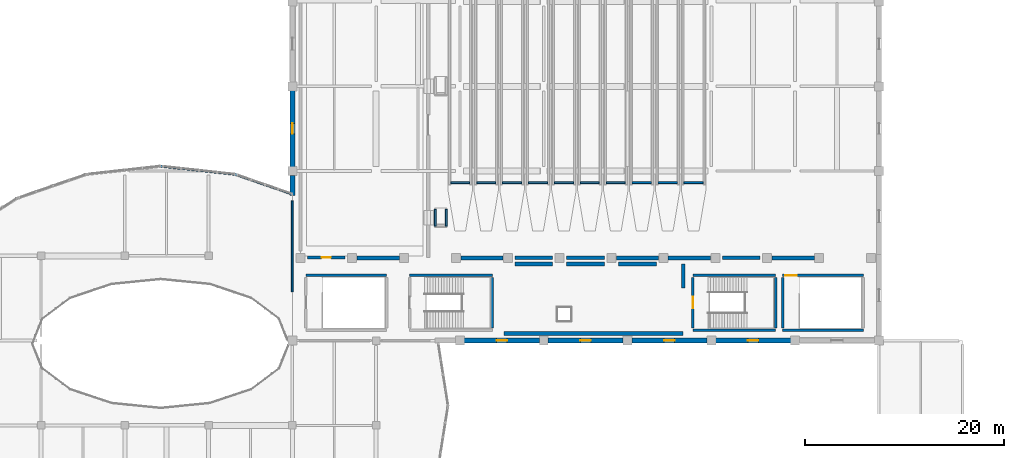
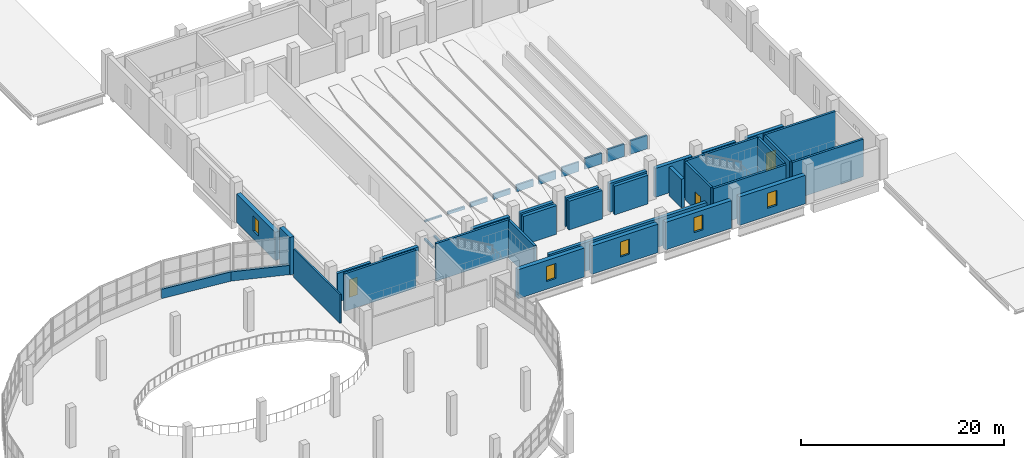
# One storey, part 97 of 117: 45 walls, 5 windows, 3 doors, 8 openings.
"""IFC4 building model written with IfcOpenShell, lengths in metres."""

from ifc_helpers import new_model, si_unit, direction, frame, frame_2d, origin, place, context, subcontext, project, spatial, rectangle, extrude, material, layer, layer_set, type_object, element, fill, save


model = new_model("IFC4")

# Units and contexts
model_context = context("Model", 3, precision=1e-05, world=origin(), true_north=direction((0.0, 1.0)))
body_context = subcontext(model_context, "Body", "Model", "MODEL_VIEW")
ifc_project = project(units=[si_unit("LENGTHUNIT", "METRE"), si_unit("AREAUNIT", "SQUARE_METRE"), si_unit("VOLUMEUNIT", "CUBIC_METRE"), si_unit("PLANEANGLEUNIT", "RADIAN"), si_unit("MASSUNIT", "GRAM", prefix="KILO")], contexts=[model_context])

# Site, building, storey
site_placement = place(None, origin())
site = spatial("IfcSite", under=ifc_project, at=site_placement, CompositionType="ELEMENT")
building_placement = place(site_placement, origin())
building = spatial("IfcBuilding", under=site, at=building_placement, Name="Solvento Point Concert Hall", CompositionType="ELEMENT")
storey_placement = place(building_placement, frame((0.0, 0.0, 5.39990234375)))
storey = spatial("IfcBuildingStorey", under=building, at=storey_placement, Name="L01", CompositionType="ELEMENT", Elevation=5.39990234375)

# Wall
ifc_material_1 = material(Name="Acoustic Double-Stud Gypsum Partition")
ifc_layer_1 = layer(ifc_material_1, 0.179931640625)
ifc_layer_set_1 = layer_set([ifc_layer_1], Name="Acoustic Double-Stud Gypsum Partition")
wall_type_1 = type_object("IfcWallType", Name="AcousticPartition_180", PredefinedType="PARTITIONING", material=ifc_layer_set_1)
wall_1_placement = place(storey_placement, frame((74.3798828125, 56.499267578125, 0.0), z_axis=(0.0, 0.0, 1.0), x_axis=(0.0, -1.0, 0.0)))
element("IfcWall", 1, at=wall_1_placement, inside=storey, type_object=wall_type_1, Name="Interior acoustic partition PW-63 L01", PredefinedType="PARTITIONING", context=body_context, shape_type="SweptSolid", body=[
    extrude(rectangle(XDim=9.1123046875, YDim=0.179931640625, at=frame_2d((4.55615234375, 0.0))), origin(), (0.0, 0.0, 1.0), 3.4501953125),
])

# Wall, opening, door
ifc_material_2 = material(Name="Acoustic Double-Stud Gypsum Partition")
ifc_layer_2 = layer(ifc_material_2, 0.31494140625)
ifc_layer_set_2 = layer_set([ifc_layer_2], Name="Acoustic Double-Stud Gypsum Partition")
wall_type_2 = type_object("IfcWallType", Name="AcousticPartition_315", PredefinedType="PARTITIONING", material=ifc_layer_set_2)
wall_2_placement = place(storey_placement, frame((79.699951171875, 50.820068359375, 0.0), z_axis=(0.0, 0.0, 1.0), x_axis=(-1.0, 0.0, 0.0)))
wall_2 = element("IfcWall", 2, at=wall_2_placement, inside=storey, type_object=wall_type_2, Name="Interior acoustic partition PW-18 L01", PredefinedType="PARTITIONING", context=body_context, shape_type="SweptSolid", body=[
    extrude(rectangle(XDim=3.800048828125, YDim=0.31494140625, at=frame_2d((1.89990234375, 0.0))), origin(), (0.0, 0.0, 1.0), 3.4501953125),
])
opening_1_placement = place(wall_2_placement, frame((1.43994140625, 0.0, 0.0)))
opening_1 = element("IfcOpeningElement", 3, at=opening_1_placement, cuts=wall_2, Name="Opening DR-46", PredefinedType="OPENING", context=body_context, shape_type="SweptSolid", body=[
    extrude(rectangle(XDim=0.919921875, YDim=2.1201171875, at=frame_2d((0.4599609375, 1.06005859375))), frame((0.0, 0.16748046875, 0.0), z_axis=(0.0, -1.0, 0.0), x_axis=(1.0, 0.0, 0.0)), (0.0, 0.0, 1.0), 0.3349609375),
])
ifc_material_3 = material(Name="Brazilian Hardwood Acoustic Door", Category="wood")
door_type_1 = type_object("IfcDoorType", Name="IntDoor_AccessibleWC", OperationType="NOTDEFINED", PredefinedType="DOOR", material=ifc_material_3)
door_1_placement = place(opening_1_placement, origin())
door_1 = element("IfcDoor", 4, at=door_1_placement, inside=storey, type_object=door_type_1, Name="Interior door DR-46 L01", OperationType="SINGLE_SWING_LEFT", OverallHeight=2.1201171875, OverallWidth=0.919921875, PredefinedType="DOOR", context=body_context, shape_type="SweptSolid", body=[
    extrude(rectangle(XDim=0.919921875, YDim=2.1201171875, at=frame_2d((0.4599609375, 1.06005859375))), frame((0.0, 0.02490234375, 0.0), z_axis=(0.0, -1.0, 0.0), x_axis=(1.0, 0.0, 0.0)), (0.0, 0.0, 1.0), 0.050048828125),
])
fill(opening_1, door_1)

# Walls
ifc_material_4 = material(Name="Acoustic Double-Stud Gypsum Partition")
ifc_layer_3 = layer(ifc_material_4, 0.364990234375)
ifc_layer_set_3 = layer_set([ifc_layer_3], Name="Acoustic Double-Stud Gypsum Partition")
wall_type_3 = type_object("IfcWallType", Name="AcousticPartition_365", PredefinedType="PARTITIONING", material=ifc_layer_set_3)
for number, where, z_axis, x_axis, name in (
    (5, (121.300048828125, 50.820068359375, 0.0), (0.0, 0.0, 1.0), (-1.0, 0.0, 0.0), "Interior acoustic partition PW-43 L01"),
    (6, (105.699951171875, 50.820068359375, 0.0), (0.0, 0.0, 1.0), (-1.0, 0.0, 0.0), "Interior acoustic partition PW-43 L01"),
    (7, (100.5, 50.820068359375, 0.0), (0.0, 0.0, 1.0), (-1.0, 0.0, 0.0), "Interior acoustic partition PW-43 L01"),
    (8, (96.699951171875, 50.179931640625, 0.0), (0.0, 0.0, 1.0), (1.0, 0.0, 0.0), "Interior acoustic partition PW-43 L01"),
    (9, (101.89990234375, 50.179931640625, 0.0), (0.0, 0.0, 1.0), (1.0, 0.0, 0.0), "Interior acoustic partition PW-43 L01"),
):
    element("IfcWall", number, at=place(storey_placement, frame(where, z_axis=z_axis, x_axis=x_axis)), inside=storey, type_object=wall_type_3, Name=name, PredefinedType="PARTITIONING", context=body_context, shape_type="SweptSolid", body=[
        extrude(rectangle(XDim=3.800048828125, YDim=0.364990234375, at=frame_2d((1.89990234375, 0.0))), origin(), (0.0, 0.0, 1.0), 3.4501953125),
    ])
wall_3_placement = place(storey_placement, frame((107.10009765625, 50.179931640625, 0.0), z_axis=(0.0, 0.0, 1.0), x_axis=(1.0, 0.0, 0.0)))
element("IfcWall", 10, at=wall_3_placement, inside=storey, type_object=wall_type_3, Name="Interior acoustic partition PW-43 L01", PredefinedType="PARTITIONING", context=body_context, shape_type="SweptSolid", body=[
    extrude(rectangle(XDim=3.7998046875, YDim=0.364990234375, at=frame_2d((1.89990234375, 0.0))), origin(), (0.0, 0.0, 1.0), 3.4501953125),
])
wall_4_placement = place(storey_placement, frame((113.580078125, 43.219970703125, 0.0), z_axis=(0.0, 0.0, 1.0), x_axis=(-1.0, 0.0, 0.0)))
element("IfcWall", 11, at=wall_4_placement, inside=storey, type_object=wall_type_3, Name="Interior acoustic partition PW-43 L01", PredefinedType="PARTITIONING", context=body_context, shape_type="SweptSolid", body=[
    extrude(rectangle(XDim=17.9599609375, YDim=0.364990234375, at=frame_2d((8.97998046875, 0.0))), origin(), (0.0, 0.0, 1.0), 3.4501953125),
])
wall_5_placement = place(storey_placement, frame((113.580078125, 50.179931640625, 0.0), z_axis=(0.0, 0.0, 1.0), x_axis=(0.0, -1.0, 0.0)))
element("IfcWall", 12, at=wall_5_placement, inside=storey, type_object=wall_type_3, Name="Interior acoustic partition PW-43 L01", PredefinedType="PARTITIONING", context=body_context, shape_type="SweptSolid", body=[
    extrude(rectangle(XDim=2.423583984375, YDim=0.364990234375, at=frame_2d((1.2119140625, 0.0))), origin(), (0.0, 0.0, 1.0), 3.4501953125),
])
ifc_material_5 = material(Name="Concrete C40/50", Category="concrete")
ifc_layer_4 = layer(ifc_material_5, 0.300048828125)
ifc_layer_set_4 = layer_set([ifc_layer_4], Name="Concrete C40/50")
wall_type_4 = type_object("IfcWallType", Name="CoreShearWall_300", PredefinedType="SHEAR", material=ifc_layer_set_4)
wall_6_placement = place(storey_placement, frame((86.14990234375, 49.050048828125, 0.0), z_axis=(0.0, 0.0, 1.0), x_axis=(1.0, 0.0, 0.0)))
element("IfcWall", 13, at=wall_6_placement, inside=storey, type_object=wall_type_4, Name="Stair core shear wall W-SH1 ST-06 L01", PredefinedType="SHEAR", context=body_context, shape_type="SweptSolid", body=[
    extrude(rectangle(XDim=8.300048828125, YDim=0.25, at=frame_2d((4.14990234375, 0.0))), origin(), (0.0, 0.0, 1.0), 4.530029296875),
])
wall_7_placement = place(storey_placement, frame((94.449951171875, 48.85009765625, 0.0), z_axis=(0.0, 0.0, 1.0), x_axis=(0.0, -1.0, 0.0)))
element("IfcWall", 14, at=wall_7_placement, inside=storey, type_object=wall_type_4, Name="Stair core shear wall W-SH1 ST-06 L01", PredefinedType="SHEAR", context=body_context, shape_type="SweptSolid", body=[
    extrude(rectangle(XDim=5.10009765625, YDim=0.25, at=frame_2d((2.550048828125, 0.0))), origin(), (0.0, 0.0, 1.0), 4.530029296875),
])
for number, where, z_axis, x_axis, name in (
    (15, (122.85009765625, 43.550048828125, 0.0), (0.0, 0.0, 1.0), (-1.0, 0.0, 0.0), "Stair core shear wall W-SH1 ST-07 L01"),
    (16, (114.550048828125, 49.050048828125, 0.0), (0.0, 0.0, 1.0), (1.0, 0.0, 0.0), "Stair core shear wall W-SH1 ST-07 L01"),
):
    element("IfcWall", number, at=place(storey_placement, frame(where, z_axis=z_axis, x_axis=x_axis)), inside=storey, type_object=wall_type_4, Name=name, PredefinedType="SHEAR", context=body_context, shape_type="SweptSolid", body=[
        extrude(rectangle(XDim=8.300048828125, YDim=0.25, at=frame_2d((4.14990234375, 0.0))), origin(), (0.0, 0.0, 1.0), 4.530029296875),
    ])

# Wall, opening, door
wall_8_placement = place(storey_placement, frame((114.550048828125, 43.75, 0.0), z_axis=(0.0, 0.0, 1.0), x_axis=(0.0, 1.0, 0.0)))
wall_8 = element("IfcWall", 17, at=wall_8_placement, inside=storey, type_object=wall_type_4, Name="Stair core shear wall W-SH1 ST-07 L01", PredefinedType="SHEAR", context=body_context, shape_type="SweptSolid", body=[
    extrude(rectangle(XDim=5.10009765625, YDim=0.25, at=frame_2d((2.550048828125, 0.0))), origin(), (0.0, 0.0, 1.0), 4.530029296875),
])
opening_2_placement = place(wall_8_placement, frame((1.97509765625, 0.0, 0.0)))
opening_2 = element("IfcOpeningElement", 18, at=opening_2_placement, cuts=wall_8, Name="Opening D-ST1", PredefinedType="OPENING", context=body_context, shape_type="SweptSolid", body=[
    extrude(rectangle(XDim=1.14990234375, YDim=2.179931640625, at=frame_2d((0.574951171875, 1.08984375))), frame((0.0, 0.135009765625, 0.0), z_axis=(0.0, -1.0, 0.0), x_axis=(1.0, 0.0, 0.0)), (0.0, 0.0, 1.0), 0.27001953125),
])
ifc_material_6 = material(Name="Hollow Metal Acoustic Fire Door")
door_type_2 = type_object("IfcDoorType", Name="StairFireDoor_1150", OperationType="NOTDEFINED", PredefinedType="DOOR", material=ifc_material_6)
door_2_placement = place(opening_2_placement, origin())
door_2 = element("IfcDoor", 19, at=door_2_placement, inside=storey, type_object=door_type_2, Name="Protected exit stair door ST-07 L01", OperationType="SINGLE_SWING_RIGHT", OverallHeight=2.179931640625, OverallWidth=1.14990234375, PredefinedType="DOOR", context=body_context, shape_type="SweptSolid", body=[
    extrude(rectangle(XDim=1.14990234375, YDim=2.179931640625, at=frame_2d((0.574951171875, 1.08984375))), frame((0.0, 0.02490234375, 0.0), z_axis=(0.0, -1.0, 0.0), x_axis=(1.0, 0.0, 0.0)), (0.0, 0.0, 1.0), 0.050048828125),
])
fill(opening_2, door_2)

# Walls
wall_9_placement = place(storey_placement, frame((122.85009765625, 48.85009765625, 0.0), z_axis=(0.0, 0.0, 1.0), x_axis=(0.0, -1.0, 0.0)))
element("IfcWall", 20, at=wall_9_placement, inside=storey, type_object=wall_type_4, Name="Stair core shear wall W-SH1 ST-07 L01", PredefinedType="SHEAR", context=body_context, shape_type="SweptSolid", body=[
    extrude(rectangle(XDim=5.10009765625, YDim=0.25, at=frame_2d((2.550048828125, 0.0))), origin(), (0.0, 0.0, 1.0), 4.530029296875),
])
wall_10_placement = place(storey_placement, frame((75.75, 49.050048828125, 0.0), z_axis=(0.0, 0.0, 1.0), x_axis=(1.0, 0.0, 0.0)))
element("IfcWall", 21, at=wall_10_placement, inside=storey, type_object=wall_type_4, Name="Stair core shear wall W-SH1 VOM-01 L01", PredefinedType="SHEAR", context=body_context, shape_type="SweptSolid", body=[
    extrude(rectangle(XDim=8.10009765625, YDim=0.25, at=frame_2d((4.050048828125, 0.0))), origin(), (0.0, 0.0, 1.0), 4.530029296875),
])
wall_11_placement = place(storey_placement, frame((131.64990234375, 43.550048828125, 0.0), z_axis=(0.0, 0.0, 1.0), x_axis=(-1.0, 0.0, 0.0)))
element("IfcWall", 22, at=wall_11_placement, inside=storey, type_object=wall_type_4, Name="Stair core shear wall W-SH1 VOM-02 L01", PredefinedType="SHEAR", context=body_context, shape_type="SweptSolid", body=[
    extrude(rectangle(XDim=8.099853515625, YDim=0.25, at=frame_2d((4.0498046875, 0.0))), origin(), (0.0, 0.0, 1.0), 4.530029296875),
])

# Wall, opening, door
wall_12_placement = place(storey_placement, frame((123.550048828125, 49.050048828125, 0.0), z_axis=(0.0, 0.0, 1.0), x_axis=(1.0, 0.0, 0.0)))
wall_12 = element("IfcWall", 23, at=wall_12_placement, inside=storey, type_object=wall_type_4, Name="Stair core shear wall W-SH1 VOM-02 L01", PredefinedType="SHEAR", context=body_context, shape_type="SweptSolid", body=[
    extrude(rectangle(XDim=8.099853515625, YDim=0.25, at=frame_2d((4.0498046875, 0.0))), origin(), (0.0, 0.0, 1.0), 4.530029296875),
])
opening_3_placement = place(wall_12_placement, frame((0.25, 0.0, 0.0)))
opening_3 = element("IfcOpeningElement", 24, at=opening_3_placement, cuts=wall_12, Name="Opening D-ST1", PredefinedType="OPENING", context=body_context, shape_type="SweptSolid", body=[
    extrude(rectangle(XDim=1.14990234375, YDim=2.179931640625, at=frame_2d((0.574951171875, 1.08984375))), frame((0.0, 0.135009765625, 0.0), z_axis=(0.0, -1.0, 0.0), x_axis=(1.0, 0.0, 0.0)), (0.0, 0.0, 1.0), 0.27001953125),
])
door_3_placement = place(opening_3_placement, origin())
door_3 = element("IfcDoor", 25, at=door_3_placement, inside=storey, type_object=door_type_2, Name="Protected exit stair door VOM-02 L01", OperationType="SINGLE_SWING_LEFT", OverallHeight=2.179931640625, OverallWidth=1.14990234375, PredefinedType="DOOR", context=body_context, shape_type="SweptSolid", body=[
    extrude(rectangle(XDim=1.14990234375, YDim=2.179931640625, at=frame_2d((0.574951171875, 1.08984375))), frame((0.0, 0.02490234375, 0.0), z_axis=(0.0, -1.0, 0.0), x_axis=(1.0, 0.0, 0.0)), (0.0, 0.0, 1.0), 0.050048828125),
])
fill(opening_3, door_3)

# Walls
wall_13_placement = place(storey_placement, frame((123.550048828125, 43.75, 0.0), z_axis=(0.0, 0.0, 1.0), x_axis=(0.0, 1.0, 0.0)))
element("IfcWall", 26, at=wall_13_placement, inside=storey, type_object=wall_type_4, Name="Stair core shear wall W-SH1 VOM-02 L01", PredefinedType="SHEAR", context=body_context, shape_type="SweptSolid", body=[
    extrude(rectangle(XDim=5.10009765625, YDim=0.25, at=frame_2d((2.550048828125, 0.0))), origin(), (0.0, 0.0, 1.0), 4.530029296875),
])
for number, where, z_axis, x_axis, name in (
    (27, (88.739990234375, 53.945068359375, 0.0), (0.0, 0.0, 1.0), (0.0, 1.0, 0.0), "Aisle landing support wall W-SH1 ST-ASL-01"),
    (28, (89.81005859375, 53.945068359375, 0.0), (0.0, 0.0, 1.0), (0.0, 1.0, 0.0), "Aisle landing support wall W-SH1 ST-ASL-01"),
):
    element("IfcWall", number, at=place(storey_placement, frame(where, z_axis=z_axis, x_axis=x_axis)), inside=storey, type_object=wall_type_4, Name=name, PredefinedType="SHEAR", context=body_context, shape_type="SweptSolid", body=[
        extrude(rectangle(XDim=1.7099609375, YDim=0.199951171875, at=frame_2d((0.85498046875, 0.0))), origin(), (0.0, 0.0, 1.0), 0.22509765625),
    ])
ifc_material_7 = material(Name="Concrete C40/50", Category="concrete")
ifc_layer_5 = layer(ifc_material_7, 0.39990234375)
ifc_layer_set_5 = layer_set([ifc_layer_5], Name="Concrete C40/50")
wall_type_5 = type_object("IfcWallType", Name="DrumShearWall_400", PredefinedType="SHEAR", material=ifc_layer_set_5)
wall_14_placement = place(storey_placement, frame((80.8798828125, 50.800048828125, 0.0), z_axis=(0.0, 0.0, 1.0), x_axis=(1.0, 0.0, 0.0)))
element("IfcWall", 29, at=wall_14_placement, inside=storey, type_object=wall_type_5, Name="Symphonic acoustic drum shear wall W-DR1 L01", PredefinedType="SHEAR", context=body_context, shape_type="SweptSolid", body=[
    extrude(rectangle(XDim=4.240234375, YDim=0.39990234375, at=frame_2d((2.1201171875, 0.0))), origin(), (0.0, 0.0, 1.0), 3.47998046875),
])
wall_15_placement = place(storey_placement, frame((91.280029296875, 50.800048828125, 0.0), z_axis=(0.0, 0.0, 1.0), x_axis=(1.0, 0.0, 0.0)))
element("IfcWall", 30, at=wall_15_placement, inside=storey, type_object=wall_type_5, Name="Symphonic acoustic drum shear wall W-DR1 L01", PredefinedType="SHEAR", context=body_context, shape_type="SweptSolid", body=[
    extrude(rectangle(XDim=4.239990234375, YDim=0.39990234375, at=frame_2d((2.1201171875, 0.0))), origin(), (0.0, 0.0, 1.0), 3.47998046875),
])
wall_16_placement = place(storey_placement, frame((106.8798828125, 50.800048828125, 0.0), z_axis=(0.0, 0.0, 1.0), x_axis=(1.0, 0.0, 0.0)))
element("IfcWall", 31, at=wall_16_placement, inside=storey, type_object=wall_type_5, Name="Symphonic acoustic drum shear wall W-DR1 L01", PredefinedType="SHEAR", context=body_context, shape_type="SweptSolid", body=[
    extrude(rectangle(XDim=4.240234375, YDim=0.39990234375, at=frame_2d((2.1201171875, 0.0))), origin(), (0.0, 0.0, 1.0), 3.47998046875),
])
for number, where, z_axis, x_axis, name in (
    (32, (112.080078125, 50.800048828125, 0.0), (0.0, 0.0, 1.0), (1.0, 0.0, 0.0), "Symphonic acoustic drum shear wall W-DR1 L01"),
    (33, (122.47998046875, 50.800048828125, 0.0), (0.0, 0.0, 1.0), (1.0, 0.0, 0.0), "Symphonic acoustic drum shear wall W-DR1 L01"),
):
    element("IfcWall", number, at=place(storey_placement, frame(where, z_axis=z_axis, x_axis=x_axis)), inside=storey, type_object=wall_type_5, Name=name, PredefinedType="SHEAR", context=body_context, shape_type="SweptSolid", body=[
        extrude(rectangle(XDim=4.239990234375, YDim=0.39990234375, at=frame_2d((2.1201171875, 0.0))), origin(), (0.0, 0.0, 1.0), 3.47998046875),
    ])
ifc_material_8 = material(Name="Concrete C40/50", Category="concrete")
ifc_layer_6 = layer(ifc_material_8, 0.47998046875)
ifc_layer_set_6 = layer_set([ifc_layer_6], Name="Concrete C40/50")
wall_type_6 = type_object("IfcWallType", Name="ExtWall_V1_Drum_480", PredefinedType="SOLIDWALL", material=ifc_layer_set_6)
wall_17_placement = place(storey_placement, frame((74.39990234375, 57.038818359375, 0.0), z_axis=(0.0, 0.0, 1.0), x_axis=(0.0, 1.0, 0.0)))
element("IfcWall", 34, at=wall_17_placement, inside=storey, type_object=wall_type_6, Name="Exterior architectural concrete wall EW-46 L01", PredefinedType="SOLIDWALL", context=body_context, shape_type="SweptSolid", body=[
    extrude(rectangle(XDim=2.03125, YDim=0.47998046875, at=frame_2d((1.015625, 0.0))), origin(), (0.0, 0.0, 1.0), 4.530029296875),
])

# Wall, opening, window
wall_18_placement = place(storey_placement, frame((74.39990234375, 59.929931640625, 0.0), z_axis=(0.0, 0.0, 1.0), x_axis=(0.0, 1.0, 0.0)))
wall_18 = element("IfcWall", 35, at=wall_18_placement, inside=storey, type_object=wall_type_6, Name="Exterior architectural concrete wall EW-46 L01", PredefinedType="SOLIDWALL", context=body_context, shape_type="SweptSolid", body=[
    extrude(rectangle(XDim=7.64013671875, YDim=0.47998046875, at=frame_2d((3.820068359375, 0.0))), origin(), (0.0, 0.0, 1.0), 3.424072265625),
])
opening_4_placement = place(wall_18_placement, frame((3.294921875, 0.0, 0.949951171875)))
opening_4 = element("IfcOpeningElement", 36, at=opening_4_placement, cuts=wall_18, Name="Opening WN-89", PredefinedType="OPENING", context=body_context, shape_type="SweptSolid", body=[
    extrude(rectangle(XDim=1.050048828125, YDim=1.800048828125, at=frame_2d((0.52490234375, 0.89990234375))), frame((0.0, 0.25, 0.0), z_axis=(0.0, -1.0, 0.0), x_axis=(1.0, 0.0, 0.0)), (0.0, 0.0, 1.0), 0.5),
])
ifc_material_9 = material(Name="Hurricane Laminated Low-E Glass", Category="glass")
window_type = type_object("IfcWindowType", Name="Win_NarrowPier_1050", PartitioningType="SINGLE_PANEL", PredefinedType="WINDOW", material=ifc_material_9)
window_1_placement = place(opening_4_placement, origin())
window_1 = element("IfcWindow", 37, at=window_1_placement, inside=storey, type_object=window_type, Name="Impact acoustic window WN-89", OverallHeight=1.800048828125, OverallWidth=1.050048828125, PartitioningType="SINGLE_PANEL", PredefinedType="WINDOW", context=body_context, shape_type="SweptSolid", body=[
    extrude(rectangle(XDim=1.050048828125, YDim=1.800048828125, at=frame_2d((0.52490234375, 0.89990234375))), frame((0.0, 0.030029296875, 0.0), z_axis=(0.0, -1.0, 0.0), x_axis=(1.0, 0.0, 0.0)), (0.0, 0.0, 1.0), 0.06005859375),
])
fill(opening_4, window_1)

wall_19_placement = place(storey_placement, frame((99.169921875, 42.5, 0.0), z_axis=(0.0, 0.0, 1.0), x_axis=(-1.0, 0.0, 0.0)))
wall_19 = element("IfcWall", 38, at=wall_19_placement, inside=storey, type_object=wall_type_6, Name="Exterior architectural concrete wall EW-46 L01", PredefinedType="SOLIDWALL", context=body_context, shape_type="SweptSolid", body=[
    extrude(rectangle(XDim=7.5400390625, YDim=0.47998046875, at=frame_2d((3.77001953125, 0.0))), origin(), (0.0, 0.0, 1.0), 3.485107421875),
])
opening_5_placement = place(wall_19_placement, frame((3.2451171875, 0.0, 0.949951171875)))
opening_5 = element("IfcOpeningElement", 39, at=opening_5_placement, cuts=wall_19, Name="Opening WN-89", PredefinedType="OPENING", context=body_context, shape_type="SweptSolid", body=[
    extrude(rectangle(XDim=1.050048828125, YDim=1.800048828125, at=frame_2d((0.52490234375, 0.89990234375))), frame((0.0, 0.25, 0.0), z_axis=(0.0, -1.0, 0.0), x_axis=(1.0, 0.0, 0.0)), (0.0, 0.0, 1.0), 0.5),
])
window_2_placement = place(opening_5_placement, origin())
window_2 = element("IfcWindow", 40, at=window_2_placement, inside=storey, type_object=window_type, Name="Impact acoustic window WN-89", OverallHeight=1.800048828125, OverallWidth=1.050048828125, PartitioningType="SINGLE_PANEL", PredefinedType="WINDOW", context=body_context, shape_type="SweptSolid", body=[
    extrude(rectangle(XDim=1.050048828125, YDim=1.800048828125, at=frame_2d((0.52490234375, 0.89990234375))), frame((0.0, 0.030029296875, 0.0), z_axis=(0.0, -1.0, 0.0), x_axis=(1.0, 0.0, 0.0)), (0.0, 0.0, 1.0), 0.06005859375),
])
fill(opening_5, window_2)

wall_20_placement = place(storey_placement, frame((107.570068359375, 42.5, 0.0), z_axis=(0.0, 0.0, 1.0), x_axis=(-1.0, 0.0, 0.0)))
wall_20 = element("IfcWall", 41, at=wall_20_placement, inside=storey, type_object=wall_type_6, Name="Exterior architectural concrete wall EW-46 L01", PredefinedType="SOLIDWALL", context=body_context, shape_type="SweptSolid", body=[
    extrude(rectangle(XDim=7.5400390625, YDim=0.47998046875, at=frame_2d((3.77001953125, 0.0))), origin(), (0.0, 0.0, 1.0), 3.4169921875),
])
opening_6_placement = place(wall_20_placement, frame((3.2451171875, 0.0, 0.949951171875)))
opening_6 = element("IfcOpeningElement", 42, at=opening_6_placement, cuts=wall_20, Name="Opening WN-89", PredefinedType="OPENING", context=body_context, shape_type="SweptSolid", body=[
    extrude(rectangle(XDim=1.050048828125, YDim=1.800048828125, at=frame_2d((0.52490234375, 0.89990234375))), frame((0.0, 0.25, 0.0), z_axis=(0.0, -1.0, 0.0), x_axis=(1.0, 0.0, 0.0)), (0.0, 0.0, 1.0), 0.5),
])
window_3_placement = place(opening_6_placement, origin())
window_3 = element("IfcWindow", 43, at=window_3_placement, inside=storey, type_object=window_type, Name="Impact acoustic window WN-89", OverallHeight=1.800048828125, OverallWidth=1.050048828125, PartitioningType="SINGLE_PANEL", PredefinedType="WINDOW", context=body_context, shape_type="SweptSolid", body=[
    extrude(rectangle(XDim=1.050048828125, YDim=1.800048828125, at=frame_2d((0.52490234375, 0.89990234375))), frame((0.0, 0.030029296875, 0.0), z_axis=(0.0, -1.0, 0.0), x_axis=(1.0, 0.0, 0.0)), (0.0, 0.0, 1.0), 0.06005859375),
])
fill(opening_6, window_3)

wall_21_placement = place(storey_placement, frame((115.969970703125, 42.5, 0.0), z_axis=(0.0, 0.0, 1.0), x_axis=(-1.0, 0.0, 0.0)))
wall_21 = element("IfcWall", 44, at=wall_21_placement, inside=storey, type_object=wall_type_6, Name="Exterior architectural concrete wall EW-46 L01", PredefinedType="SOLIDWALL", context=body_context, shape_type="SweptSolid", body=[
    extrude(rectangle(XDim=7.5400390625, YDim=0.47998046875, at=frame_2d((3.77001953125, 0.0))), origin(), (0.0, 0.0, 1.0), 3.318115234375),
])
opening_7_placement = place(wall_21_placement, frame((3.2451171875, 0.0, 0.949951171875)))
opening_7 = element("IfcOpeningElement", 45, at=opening_7_placement, cuts=wall_21, Name="Opening WN-89", PredefinedType="OPENING", context=body_context, shape_type="SweptSolid", body=[
    extrude(rectangle(XDim=1.050048828125, YDim=1.800048828125, at=frame_2d((0.52490234375, 0.89990234375))), frame((0.0, 0.25, 0.0), z_axis=(0.0, -1.0, 0.0), x_axis=(1.0, 0.0, 0.0)), (0.0, 0.0, 1.0), 0.5),
])
window_4_placement = place(opening_7_placement, origin())
window_4 = element("IfcWindow", 46, at=window_4_placement, inside=storey, type_object=window_type, Name="Impact acoustic window WN-89", OverallHeight=1.800048828125, OverallWidth=1.050048828125, PartitioningType="SINGLE_PANEL", PredefinedType="WINDOW", context=body_context, shape_type="SweptSolid", body=[
    extrude(rectangle(XDim=1.050048828125, YDim=1.800048828125, at=frame_2d((0.52490234375, 0.89990234375))), frame((0.0, 0.030029296875, 0.0), z_axis=(0.0, -1.0, 0.0), x_axis=(1.0, 0.0, 0.0)), (0.0, 0.0, 1.0), 0.06005859375),
])
fill(opening_7, window_4)

wall_22_placement = place(storey_placement, frame((124.3701171875, 42.5, 0.0), z_axis=(0.0, 0.0, 1.0), x_axis=(-1.0, 0.0, 0.0)))
wall_22 = element("IfcWall", 47, at=wall_22_placement, inside=storey, type_object=wall_type_6, Name="Exterior architectural concrete wall EW-46 L01", PredefinedType="SOLIDWALL", context=body_context, shape_type="SweptSolid", body=[
    extrude(rectangle(XDim=7.5400390625, YDim=0.47998046875, at=frame_2d((3.77001953125, 0.0))), origin(), (0.0, 0.0, 1.0), 3.424072265625),
])
opening_8_placement = place(wall_22_placement, frame((3.2451171875, 0.0, 0.949951171875)))
opening_8 = element("IfcOpeningElement", 48, at=opening_8_placement, cuts=wall_22, Name="Opening WN-89", PredefinedType="OPENING", context=body_context, shape_type="SweptSolid", body=[
    extrude(rectangle(XDim=1.050048828125, YDim=1.800048828125, at=frame_2d((0.52490234375, 0.89990234375))), frame((0.0, 0.25, 0.0), z_axis=(0.0, -1.0, 0.0), x_axis=(1.0, 0.0, 0.0)), (0.0, 0.0, 1.0), 0.5),
])
window_5_placement = place(opening_8_placement, origin())
window_5 = element("IfcWindow", 49, at=window_5_placement, inside=storey, type_object=window_type, Name="Impact acoustic window WN-89", OverallHeight=1.800048828125, OverallWidth=1.050048828125, PartitioningType="SINGLE_PANEL", PredefinedType="WINDOW", context=body_context, shape_type="SweptSolid", body=[
    extrude(rectangle(XDim=1.050048828125, YDim=1.800048828125, at=frame_2d((0.52490234375, 0.89990234375))), frame((0.0, 0.030029296875, 0.0), z_axis=(0.0, -1.0, 0.0), x_axis=(1.0, 0.0, 0.0)), (0.0, 0.0, 1.0), 0.06005859375),
])
fill(opening_8, window_5)

# Walls
ifc_material_10 = material(Name="Concrete C40/50", Category="concrete")
ifc_layer_7 = layer(ifc_material_10, 0.260009765625)
ifc_layer_set_7 = layer_set([ifc_layer_7], Name="Concrete C40/50")
wall_type_7 = type_object("IfcWallType", Name="Parapet_Ring_260", PredefinedType="PARAPET", material=ifc_layer_set_7)
wall_23_placement = place(storey_placement, frame((61.199951171875, 60.0, 0.0), z_axis=(0.0, 0.0, 1.0), x_axis=(0.994034465911, -0.109066404454, 0.0)))
element("IfcWall", 50, at=wall_23_placement, inside=storey, type_object=wall_type_7, Name="Sliding elliptical white concrete ring spandrel PR-01 L01", PredefinedType="PARAPET", context=body_context, shape_type="SweptSolid", body=[
    extrude(rectangle(XDim=7.498779296875, YDim=0.260009765625, at=frame_2d((3.74951171875, 0.0))), origin(), (0.0, 0.0, 1.0), 1.1201171875),
])
wall_24_placement = place(storey_placement, frame((68.654052734375, 59.18212890625, 0.0), z_axis=(0.0, 0.0, 1.0), x_axis=(0.945267933336, -0.326295164241, 0.0)))
element("IfcWall", 51, at=wall_24_placement, inside=storey, type_object=wall_type_7, Name="Sliding elliptical white concrete ring spandrel PR-01 L01", PredefinedType="PARAPET", context=body_context, shape_type="SweptSolid", body=[
    extrude(rectangle(XDim=6.07861328125, YDim=0.260009765625, at=frame_2d((3.039306640625, 0.0))), origin(), (0.0, 0.0, 1.0), 1.1201171875),
])
ifc_material_11 = material(Name="Concrete C35/45", Category="concrete")
ifc_layer_8 = layer(ifc_material_11, 0.25)
ifc_layer_set_8 = layer_set([ifc_layer_8], Name="Concrete C35/45")
wall_type_8 = type_object("IfcWallType", Name="TierSupportWall_250", PredefinedType="SHEAR", material=ifc_layer_set_8)
wall_25_placement = place(storey_placement, frame((90.260009765625, 58.340087890625, 0.0), z_axis=(0.0, 0.0, 1.0), x_axis=(1.0, 0.0, 0.0)))
element("IfcWall", 52, at=wall_25_placement, inside=storey, type_object=wall_type_8, Name="Seating tier spine support wall W-TR1 TIER-L01-SYM-01", PredefinedType="SHEAR", context=body_context, shape_type="SweptSolid", body=[
    extrude(rectangle(XDim=1.929931640625, YDim=0.199951171875, at=frame_2d((0.96484375, 0.0))), origin(), (0.0, 0.0, 1.0), 0.190185546875),
])
wall_26_placement = place(storey_placement, frame((92.860107421875, 58.340087890625, 0.0), z_axis=(0.0, 0.0, 1.0), x_axis=(1.0, 0.0, 0.0)))
element("IfcWall", 53, at=wall_26_placement, inside=storey, type_object=wall_type_8, Name="Seating tier spine support wall W-TR1 TIER-L01-SYM-02", PredefinedType="SHEAR", context=body_context, shape_type="SweptSolid", body=[
    extrude(rectangle(XDim=1.929931640625, YDim=0.199951171875, at=frame_2d((0.96484375, 0.0))), origin(), (0.0, 0.0, 1.0), 0.330078125),
])
wall_27_placement = place(storey_placement, frame((95.4599609375, 58.340087890625, 0.0), z_axis=(0.0, 0.0, 1.0), x_axis=(1.0, 0.0, 0.0)))
element("IfcWall", 54, at=wall_27_placement, inside=storey, type_object=wall_type_8, Name="Seating tier spine support wall W-TR1 TIER-L01-SYM-03", PredefinedType="SHEAR", context=body_context, shape_type="SweptSolid", body=[
    extrude(rectangle(XDim=1.929931640625, YDim=0.199951171875, at=frame_2d((0.96484375, 0.0))), origin(), (0.0, 0.0, 1.0), 0.510009765625),
])
wall_28_placement = place(storey_placement, frame((98.06005859375, 58.340087890625, 0.0), z_axis=(0.0, 0.0, 1.0), x_axis=(1.0, 0.0, 0.0)))
element("IfcWall", 55, at=wall_28_placement, inside=storey, type_object=wall_type_8, Name="Seating tier spine support wall W-TR1 TIER-L01-SYM-04", PredefinedType="SHEAR", context=body_context, shape_type="SweptSolid", body=[
    extrude(rectangle(XDim=1.929931640625, YDim=0.199951171875, at=frame_2d((0.96484375, 0.0))), origin(), (0.0, 0.0, 1.0), 0.650146484375),
])
wall_29_placement = place(storey_placement, frame((100.659912109375, 58.340087890625, 0.0), z_axis=(0.0, 0.0, 1.0), x_axis=(1.0, 0.0, 0.0)))
element("IfcWall", 56, at=wall_29_placement, inside=storey, type_object=wall_type_8, Name="Seating tier spine support wall W-TR1 TIER-L01-SYM-05", PredefinedType="SHEAR", context=body_context, shape_type="SweptSolid", body=[
    extrude(rectangle(XDim=1.93017578125, YDim=0.199951171875, at=frame_2d((0.965087890625, 0.0))), origin(), (0.0, 0.0, 1.0), 0.830078125),
])
wall_30_placement = place(storey_placement, frame((103.260009765625, 58.340087890625, 0.0), z_axis=(0.0, 0.0, 1.0), x_axis=(1.0, 0.0, 0.0)))
element("IfcWall", 57, at=wall_30_placement, inside=storey, type_object=wall_type_8, Name="Seating tier spine support wall W-TR1 TIER-L01-SYM-06", PredefinedType="SHEAR", context=body_context, shape_type="SweptSolid", body=[
    extrude(rectangle(XDim=1.929931640625, YDim=0.199951171875, at=frame_2d((0.96484375, 0.0))), origin(), (0.0, 0.0, 1.0), 0.97021484375),
])
wall_31_placement = place(storey_placement, frame((105.860107421875, 58.340087890625, 0.0), z_axis=(0.0, 0.0, 1.0), x_axis=(1.0, 0.0, 0.0)))
element("IfcWall", 58, at=wall_31_placement, inside=storey, type_object=wall_type_8, Name="Seating tier spine support wall W-TR1 TIER-L01-SYM-07", PredefinedType="SHEAR", context=body_context, shape_type="SweptSolid", body=[
    extrude(rectangle(XDim=1.929931640625, YDim=0.199951171875, at=frame_2d((0.96484375, 0.0))), origin(), (0.0, 0.0, 1.0), 1.150146484375),
])
wall_32_placement = place(storey_placement, frame((108.4599609375, 58.340087890625, 0.0), z_axis=(0.0, 0.0, 1.0), x_axis=(1.0, 0.0, 0.0)))
element("IfcWall", 59, at=wall_32_placement, inside=storey, type_object=wall_type_8, Name="Seating tier spine support wall W-TR1 TIER-L01-SYM-08", PredefinedType="SHEAR", context=body_context, shape_type="SweptSolid", body=[
    extrude(rectangle(XDim=1.929931640625, YDim=0.199951171875, at=frame_2d((0.96484375, 0.0))), origin(), (0.0, 0.0, 1.0), 1.2900390625),
])
wall_33_placement = place(storey_placement, frame((111.06005859375, 58.340087890625, 0.0), z_axis=(0.0, 0.0, 1.0), x_axis=(1.0, 0.0, 0.0)))
element("IfcWall", 60, at=wall_33_placement, inside=storey, type_object=wall_type_8, Name="Seating tier spine support wall W-TR1 TIER-L01-SYM-09", PredefinedType="SHEAR", context=body_context, shape_type="SweptSolid", body=[
    extrude(rectangle(XDim=1.929931640625, YDim=0.199951171875, at=frame_2d((0.96484375, 0.0))), origin(), (0.0, 0.0, 1.0), 1.47021484375),
])
wall_34_placement = place(storey_placement, frame((113.659912109375, 58.340087890625, 0.0), z_axis=(0.0, 0.0, 1.0), x_axis=(1.0, 0.0, 0.0)))
element("IfcWall", 61, at=wall_34_placement, inside=storey, type_object=wall_type_8, Name="Seating tier spine support wall W-TR1 TIER-L01-SYM-10", PredefinedType="SHEAR", context=body_context, shape_type="SweptSolid", body=[
    extrude(rectangle(XDim=1.93017578125, YDim=0.199951171875, at=frame_2d((0.965087890625, 0.0))), origin(), (0.0, 0.0, 1.0), 1.610107421875),
])

save(model, "model.ifc")
